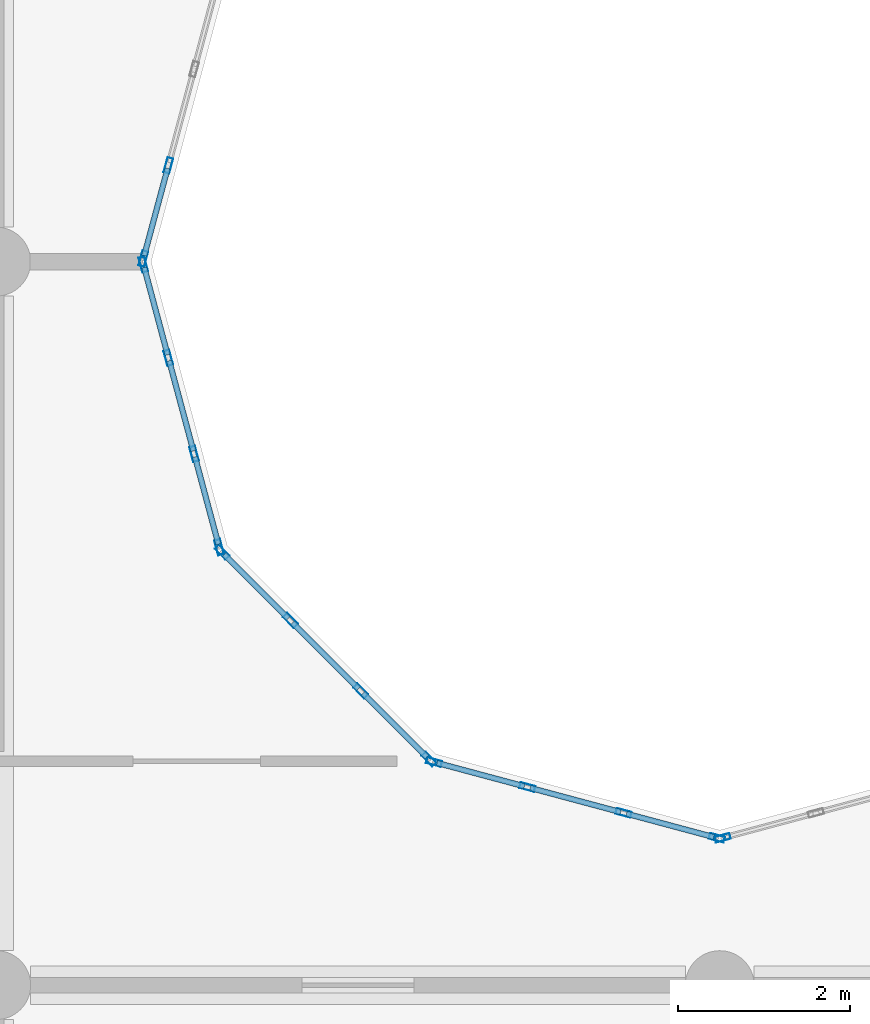
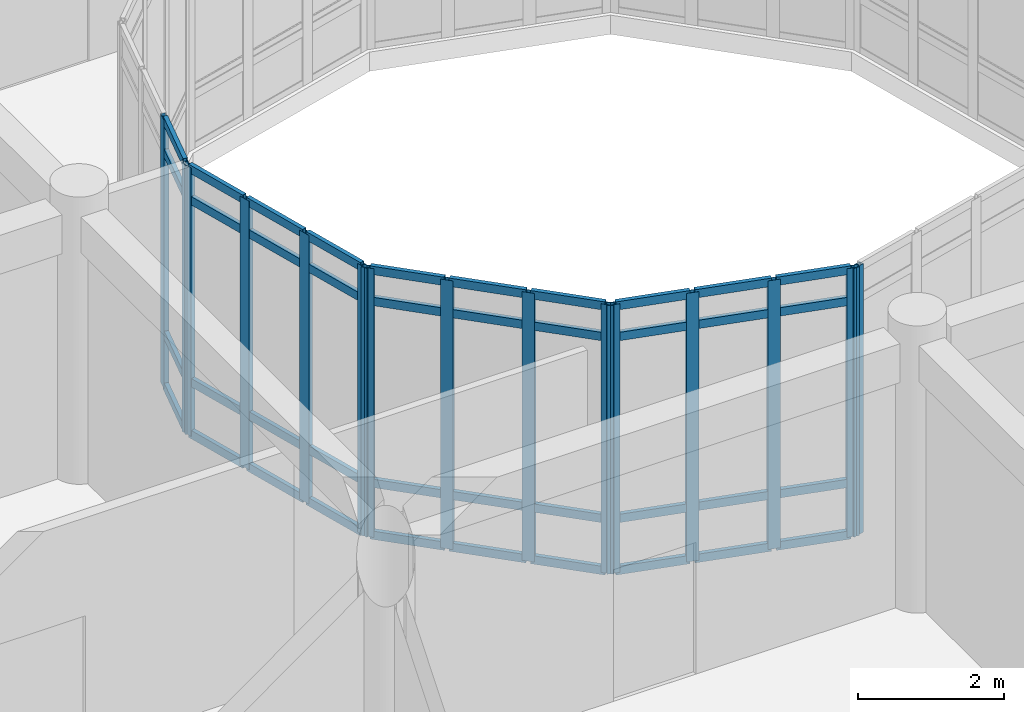
# One storey, part 22 of 138: 55 members, 5 elements without a shape of their own.
"""IFC4 building model written with IfcOpenShell, lengths in metres."""

from ifc_helpers import new_model, si_unit, direction, frame, origin, origin_2d, place, context, subcontext, project, spatial, hollow_rectangle, extrude, material, layer, layer_set, material_profile, profile_set, type_object, element, aggregate, save


model = new_model("IFC4")

# Units and contexts
model_context = context("Model", 3, precision=1e-05, world=origin(), true_north=direction((0.0, 1.0)))
body_context = subcontext(model_context, "Body", "Model", "MODEL_VIEW")
ifc_project = project(units=[si_unit("LENGTHUNIT", "METRE"), si_unit("AREAUNIT", "SQUARE_METRE"), si_unit("VOLUMEUNIT", "CUBIC_METRE"), si_unit("PLANEANGLEUNIT", "RADIAN"), si_unit("MASSUNIT", "GRAM", prefix="KILO")], contexts=[model_context])

# Site, building, storey
site_placement = place(None, origin())
site = spatial("IfcSite", under=ifc_project, at=site_placement, CompositionType="ELEMENT")
building_placement = place(site_placement, origin())
building = spatial("IfcBuilding", under=site, at=building_placement, Name="Bramfleet General Hospital", CompositionType="ELEMENT")
storey_placement = place(building_placement, origin())
storey = spatial("IfcBuildingStorey", under=building, at=storey_placement, Name="L00", CompositionType="ELEMENT", Elevation=0.0)

# Curtain wall, members
ifc_material_1 = material(Name="Anodised aluminium and low-E triple glazing", Category="aluminium")
ifc_layer_1 = layer(ifc_material_1, 0.179931640625, Name="CWT-CW-13")
ifc_layer_set_1 = layer_set([ifc_layer_1], Name="Anodised aluminium and low-E triple glazing")
curtain_wall_type_1 = type_object("IfcCurtainWallType", Name="CWT-CW-13", PredefinedType="USERDEFINED", material=ifc_layer_set_1)
curtain_wall_1_placement = place(storey_placement, origin())
curtain_wall_1 = element("IfcCurtainWall", 1, at=curtain_wall_1_placement, inside=storey, type_object=curtain_wall_type_1, Name="L00 West Clinical Light Court Curtain Wall 1.1", ObjectType="Stick curtain wall", PredefinedType="USERDEFINED")
ifc_material_2 = material(Name="Anodised aluminium EN AW-6060", Category="aluminium")
ifc_material_profile_1 = material_profile(ifc_material_2, hollow_rectangle(XDim=0.070068359375, YDim=0.179931640625, WallThickness=0.00390625, at=origin_2d()), Name="ALU 180x70x4.0")
ifc_profile_set_1 = profile_set([ifc_material_profile_1], Name="Anodised aluminium EN AW-6060")
member_type_1 = type_object("IfcMemberType", Name="CWM-ALU180", PredefinedType="MULLION", material=ifc_profile_set_1)
member_1_placement = place(storey_placement, frame((18.509033203125, 83.96630859375, 0.0), z_axis=(0.0, 0.0, 1.0), x_axis=(0.965899136003, 0.25891863407, 0.0)))
member_1 = element("IfcMember", 2, at=member_1_placement, type_object=member_type_1, Name="CW-13 mullion 1", PredefinedType="MULLION", context=body_context, shape_type="SweptSolid", body=[
    extrude(hollow_rectangle(XDim=0.070068359375, YDim=0.179931640625, WallThickness=0.00390625, at=origin_2d()), origin(), (0.0, 0.0, 1.0), 4.489990234375),
])
member_2_placement = place(storey_placement, frame((18.79931640625, 82.88330078125, 0.0), z_axis=(0.0, 0.0, 1.0), x_axis=(0.965899136003, 0.25891863407, 0.0)))
member_2 = element("IfcMember", 3, at=member_2_placement, type_object=member_type_1, Name="CW-13 mullion 2", PredefinedType="MULLION", context=body_context, shape_type="SweptSolid", body=[
    extrude(hollow_rectangle(XDim=0.070068359375, YDim=0.179931640625, WallThickness=0.00390625, at=origin_2d()), origin(), (0.0, 0.0, 1.0), 4.489990234375),
])
member_3_placement = place(storey_placement, frame((19.0986328125, 81.7666015625, 0.0), z_axis=(0.0, 0.0, 1.0), x_axis=(0.965899136003, 0.25891863407, 0.0)))
member_3 = element("IfcMember", 4, at=member_3_placement, type_object=member_type_1, Name="CW-13 mullion 3", PredefinedType="MULLION", context=body_context, shape_type="SweptSolid", body=[
    extrude(hollow_rectangle(XDim=0.070068359375, YDim=0.179931640625, WallThickness=0.00390625, at=origin_2d()), origin(), (0.0, 0.0, 1.0), 4.489990234375),
])
member_4_placement = place(storey_placement, frame((19.388916015625, 80.683837890625, 0.0), z_axis=(0.0, 0.0, 1.0), x_axis=(0.965899136003, 0.25891863407, 0.0)))
member_4 = element("IfcMember", 5, at=member_4_placement, type_object=member_type_1, Name="CW-13 mullion 4", PredefinedType="MULLION", context=body_context, shape_type="SweptSolid", body=[
    extrude(hollow_rectangle(XDim=0.070068359375, YDim=0.179931640625, WallThickness=0.00390625, at=origin_2d()), origin(), (0.0, 0.0, 1.0), 4.489990234375),
])

ifc_layer_2 = layer(ifc_material_1, 0.179931640625, Name="CWT-CW-14")
ifc_layer_set_2 = layer_set([ifc_layer_2], Name="Anodised aluminium and low-E triple glazing")
curtain_wall_type_2 = type_object("IfcCurtainWallType", Name="CWT-CW-14", PredefinedType="USERDEFINED", material=ifc_layer_set_2)
curtain_wall_2_placement = place(storey_placement, origin())
curtain_wall_2 = element("IfcCurtainWall", 6, at=curtain_wall_2_placement, inside=storey, type_object=curtain_wall_type_2, Name="L00 West Clinical Light Court Curtain Wall 2.1", ObjectType="Stick curtain wall", PredefinedType="USERDEFINED")
member_5_placement = place(storey_placement, frame((19.4228515625, 80.625244140625, 0.0), z_axis=(0.0, 0.0, 1.0), x_axis=(0.707106781187, 0.707106781187, 0.0)))
member_5 = element("IfcMember", 7, at=member_5_placement, type_object=member_type_1, Name="CW-14 mullion 1", PredefinedType="MULLION", context=body_context, shape_type="SweptSolid", body=[
    extrude(hollow_rectangle(XDim=0.070068359375, YDim=0.179931640625, WallThickness=0.00390625, at=origin_2d()), origin(), (0.0, 0.0, 1.0), 4.489990234375),
])
member_6_placement = place(storey_placement, frame((20.21533203125, 79.832763671875, 0.0), z_axis=(0.0, 0.0, 1.0), x_axis=(0.707106781187, 0.707106781187, 0.0)))
member_6 = element("IfcMember", 8, at=member_6_placement, type_object=member_type_1, Name="CW-14 mullion 2", PredefinedType="MULLION", context=body_context, shape_type="SweptSolid", body=[
    extrude(hollow_rectangle(XDim=0.070068359375, YDim=0.179931640625, WallThickness=0.00390625, at=origin_2d()), origin(), (0.0, 0.0, 1.0), 4.489990234375),
])
member_7_placement = place(storey_placement, frame((21.03271484375, 79.015380859375, 0.0), z_axis=(0.0, 0.0, 1.0), x_axis=(0.707106781187, 0.707106781187, 0.0)))
member_7 = element("IfcMember", 9, at=member_7_placement, type_object=member_type_1, Name="CW-14 mullion 3", PredefinedType="MULLION", context=body_context, shape_type="SweptSolid", body=[
    extrude(hollow_rectangle(XDim=0.070068359375, YDim=0.179931640625, WallThickness=0.00390625, at=origin_2d()), origin(), (0.0, 0.0, 1.0), 4.489990234375),
])
member_8_placement = place(storey_placement, frame((21.8251953125, 78.22265625, 0.0), z_axis=(0.0, 0.0, 1.0), x_axis=(0.707106781187, 0.707106781187, 0.0)))
member_8 = element("IfcMember", 10, at=member_8_placement, type_object=member_type_1, Name="CW-14 mullion 4", PredefinedType="MULLION", context=body_context, shape_type="SweptSolid", body=[
    extrude(hollow_rectangle(XDim=0.070068359375, YDim=0.179931640625, WallThickness=0.00390625, at=origin_2d()), origin(), (0.0, 0.0, 1.0), 4.489990234375),
])

ifc_layer_3 = layer(ifc_material_1, 0.179931640625, Name="CWT-CW-15")
ifc_layer_set_3 = layer_set([ifc_layer_3], Name="Anodised aluminium and low-E triple glazing")
curtain_wall_type_3 = type_object("IfcCurtainWallType", Name="CWT-CW-15", PredefinedType="USERDEFINED", material=ifc_layer_set_3)
curtain_wall_3_placement = place(storey_placement, origin())
curtain_wall_3 = element("IfcCurtainWall", 11, at=curtain_wall_3_placement, inside=storey, type_object=curtain_wall_type_3, Name="L00 West Clinical Light Court Curtain Wall 3.1", ObjectType="Stick curtain wall", PredefinedType="USERDEFINED")
member_9_placement = place(storey_placement, frame((21.8837890625, 78.18896484375, 0.0), z_axis=(0.0, 0.0, 1.0), x_axis=(0.25891863407, 0.965899136003, 0.0)))
member_9 = element("IfcMember", 12, at=member_9_placement, type_object=member_type_1, Name="CW-15 mullion 1", PredefinedType="MULLION", context=body_context, shape_type="SweptSolid", body=[
    extrude(hollow_rectangle(XDim=0.070068359375, YDim=0.179931640625, WallThickness=0.00390625, at=origin_2d()), origin(), (0.0, 0.0, 1.0), 4.489990234375),
])
member_10_placement = place(storey_placement, frame((22.966552734375, 77.898681640625, 0.0), z_axis=(0.0, 0.0, 1.0), x_axis=(0.25891863407, 0.965899136003, 0.0)))
member_10 = element("IfcMember", 13, at=member_10_placement, type_object=member_type_1, Name="CW-15 mullion 2", PredefinedType="MULLION", context=body_context, shape_type="SweptSolid", body=[
    extrude(hollow_rectangle(XDim=0.070068359375, YDim=0.179931640625, WallThickness=0.00390625, at=origin_2d()), origin(), (0.0, 0.0, 1.0), 4.489990234375),
])
member_11_placement = place(storey_placement, frame((24.083251953125, 77.599365234375, 0.0), z_axis=(0.0, 0.0, 1.0), x_axis=(0.25891863407, 0.965899136003, 0.0)))
member_11 = element("IfcMember", 14, at=member_11_placement, type_object=member_type_1, Name="CW-15 mullion 3", PredefinedType="MULLION", context=body_context, shape_type="SweptSolid", body=[
    extrude(hollow_rectangle(XDim=0.070068359375, YDim=0.179931640625, WallThickness=0.00390625, at=origin_2d()), origin(), (0.0, 0.0, 1.0), 4.489990234375),
])
member_12_placement = place(storey_placement, frame((25.166259765625, 77.30908203125, 0.0), z_axis=(0.0, 0.0, 1.0), x_axis=(0.25891863407, 0.965899136003, 0.0)))
member_12 = element("IfcMember", 15, at=member_12_placement, type_object=member_type_1, Name="CW-15 mullion 4", PredefinedType="MULLION", context=body_context, shape_type="SweptSolid", body=[
    extrude(hollow_rectangle(XDim=0.070068359375, YDim=0.179931640625, WallThickness=0.00390625, at=origin_2d()), origin(), (0.0, 0.0, 1.0), 4.489990234375),
])

# Curtain wall, member
ifc_layer_4 = layer(ifc_material_1, 0.179931640625, Name="CWT-CW-16")
ifc_layer_set_4 = layer_set([ifc_layer_4], Name="Anodised aluminium and low-E triple glazing")
curtain_wall_type_4 = type_object("IfcCurtainWallType", Name="CWT-CW-16", PredefinedType="USERDEFINED", material=ifc_layer_set_4)
curtain_wall_4_placement = place(storey_placement, origin())
curtain_wall_4 = element("IfcCurtainWall", 16, at=curtain_wall_4_placement, inside=storey, type_object=curtain_wall_type_4, Name="L00 West Clinical Light Court Curtain Wall 4.1", ObjectType="Stick curtain wall", PredefinedType="USERDEFINED")
member_13_placement = place(storey_placement, frame((25.23388671875, 77.30908203125, 0.0), z_axis=(0.0, 0.0, 1.0), x_axis=(-0.25891863407, 0.965899136003, 0.0)))
member_13 = element("IfcMember", 17, at=member_13_placement, type_object=member_type_1, Name="CW-16 mullion 1", PredefinedType="MULLION", context=body_context, shape_type="SweptSolid", body=[
    extrude(hollow_rectangle(XDim=0.070068359375, YDim=0.179931640625, WallThickness=0.00390625, at=origin_2d()), origin(), (0.0, 0.0, 1.0), 4.489990234375),
])
aggregate(curtain_wall_4, [member_13])

# Curtain wall, members
curtain_wall_5_placement = place(storey_placement, origin())
curtain_wall_5 = element("IfcCurtainWall", 18, at=curtain_wall_5_placement, inside=storey, type_object=curtain_wall_type_4, Name="L00 West Clinical Light Court Curtain Wall 12.1", ObjectType="Stick curtain wall", PredefinedType="USERDEFINED")
member_14_placement = place(storey_placement, frame((18.79931640625, 85.11669921875, 0.0), z_axis=(0.0, 0.0, 1.0), x_axis=(0.965899136003, -0.25891863407, 0.0)))
member_14 = element("IfcMember", 19, at=member_14_placement, type_object=member_type_1, Name="CW-16 mullion 3", PredefinedType="MULLION", context=body_context, shape_type="SweptSolid", body=[
    extrude(hollow_rectangle(XDim=0.070068359375, YDim=0.179931640625, WallThickness=0.00390625, at=origin_2d()), origin(), (0.0, 0.0, 1.0), 4.489990234375),
])
member_15_placement = place(storey_placement, frame((18.509033203125, 84.03369140625, 0.0), z_axis=(0.0, 0.0, 1.0), x_axis=(0.965899136003, -0.25891863407, 0.0)))
member_15 = element("IfcMember", 20, at=member_15_placement, type_object=member_type_1, Name="CW-16 mullion 4", PredefinedType="MULLION", context=body_context, shape_type="SweptSolid", body=[
    extrude(hollow_rectangle(XDim=0.070068359375, YDim=0.179931640625, WallThickness=0.00390625, at=origin_2d()), origin(), (0.0, 0.0, 1.0), 4.489990234375),
])

# Member
ifc_material_profile_2 = material_profile(ifc_material_2, hollow_rectangle(XDim=0.06494140625, YDim=0.139892578125, WallThickness=0.00390625, at=origin_2d()), Name="ALU 140x65x4.0")
ifc_profile_set_2 = profile_set([ifc_material_profile_2], Name="Anodised aluminium EN AW-6060")
member_type_2 = type_object("IfcMemberType", Name="CWT-ALU140", PredefinedType="USERDEFINED", material=ifc_profile_set_2)
member_16_placement = place(storey_placement, frame((18.51806640625, 83.932373046875, 0.032470703125), z_axis=(0.259007003236, -0.965875443458, 0.0), x_axis=(0.965875443458, 0.259007003236, 0.0)))
member_16 = element("IfcMember", 21, at=member_16_placement, type_object=member_type_2, Name="CW-13 transom 1.1", ObjectType="TRANSOM", PredefinedType="USERDEFINED", context=body_context, shape_type="SweptSolid", body=[
    extrude(hollow_rectangle(XDim=0.06494140625, YDim=0.139892578125, WallThickness=0.00390625, at=origin_2d()), origin(), (0.0, 0.0, 1.0), 1.051025390625),
])

member_17_placement = place(storey_placement, frame((18.51806640625, 83.932373046875, 0.89990234375), z_axis=(0.259007003236, -0.965875443458, 0.0), x_axis=(0.965875443458, 0.259007003236, 0.0)))
member_17 = element("IfcMember", 22, at=member_17_placement, type_object=member_type_2, Name="CW-13 transom 1.2", ObjectType="TRANSOM", PredefinedType="USERDEFINED", context=body_context, shape_type="SweptSolid", body=[
    extrude(hollow_rectangle(XDim=0.06494140625, YDim=0.139892578125, WallThickness=0.00390625, at=origin_2d()), origin(), (0.0, 0.0, 1.0), 1.051025390625),
])

member_18_placement = place(storey_placement, frame((18.51806640625, 83.932373046875, 3.93994140625), z_axis=(0.259007003236, -0.965875443458, 0.0), x_axis=(0.965875443458, 0.259007003236, 0.0)))
member_18 = element("IfcMember", 23, at=member_18_placement, type_object=member_type_2, Name="CW-13 transom 1.3", ObjectType="TRANSOM", PredefinedType="USERDEFINED", context=body_context, shape_type="SweptSolid", body=[
    extrude(hollow_rectangle(XDim=0.06494140625, YDim=0.139892578125, WallThickness=0.00390625, at=origin_2d()), origin(), (0.0, 0.0, 1.0), 1.051025390625),
])

member_19_placement = place(storey_placement, frame((18.51806640625, 83.932373046875, 4.45751953125), z_axis=(0.259007003236, -0.965875443458, 0.0), x_axis=(0.965875443458, 0.259007003236, 0.0)))
member_19 = element("IfcMember", 24, at=member_19_placement, type_object=member_type_2, Name="CW-13 transom 1.4", ObjectType="TRANSOM", PredefinedType="USERDEFINED", context=body_context, shape_type="SweptSolid", body=[
    extrude(hollow_rectangle(XDim=0.06494140625, YDim=0.139892578125, WallThickness=0.00390625, at=origin_2d()), origin(), (0.0, 0.0, 1.0), 1.051025390625),
])

member_20_placement = place(storey_placement, frame((18.808349609375, 82.849609375, 0.032470703125), z_axis=(0.258949558843, -0.965890845787, 0.0), x_axis=(0.965890845787, 0.258949558843, 0.0)))
member_20 = element("IfcMember", 25, at=member_20_placement, type_object=member_type_2, Name="CW-13 transom 2.1", ObjectType="TRANSOM", PredefinedType="USERDEFINED", context=body_context, shape_type="SweptSolid", body=[
    extrude(hollow_rectangle(XDim=0.06494140625, YDim=0.139892578125, WallThickness=0.00390625, at=origin_2d()), origin(), (0.0, 0.0, 1.0), 1.086181640625),
])

member_21_placement = place(storey_placement, frame((18.808349609375, 82.849609375, 0.89990234375), z_axis=(0.258949558843, -0.965890845787, 0.0), x_axis=(0.965890845787, 0.258949558843, 0.0)))
member_21 = element("IfcMember", 26, at=member_21_placement, type_object=member_type_2, Name="CW-13 transom 2.2", ObjectType="TRANSOM", PredefinedType="USERDEFINED", context=body_context, shape_type="SweptSolid", body=[
    extrude(hollow_rectangle(XDim=0.06494140625, YDim=0.139892578125, WallThickness=0.00390625, at=origin_2d()), origin(), (0.0, 0.0, 1.0), 1.086181640625),
])

member_22_placement = place(storey_placement, frame((18.808349609375, 82.849609375, 3.93994140625), z_axis=(0.258949558843, -0.965890845787, 0.0), x_axis=(0.965890845787, 0.258949558843, 0.0)))
member_22 = element("IfcMember", 27, at=member_22_placement, type_object=member_type_2, Name="CW-13 transom 2.3", ObjectType="TRANSOM", PredefinedType="USERDEFINED", context=body_context, shape_type="SweptSolid", body=[
    extrude(hollow_rectangle(XDim=0.06494140625, YDim=0.139892578125, WallThickness=0.00390625, at=origin_2d()), origin(), (0.0, 0.0, 1.0), 1.086181640625),
])

member_23_placement = place(storey_placement, frame((18.808349609375, 82.849609375, 4.45751953125), z_axis=(0.258949558843, -0.965890845787, 0.0), x_axis=(0.965890845787, 0.258949558843, 0.0)))
member_23 = element("IfcMember", 28, at=member_23_placement, type_object=member_type_2, Name="CW-13 transom 2.4", ObjectType="TRANSOM", PredefinedType="USERDEFINED", context=body_context, shape_type="SweptSolid", body=[
    extrude(hollow_rectangle(XDim=0.06494140625, YDim=0.139892578125, WallThickness=0.00390625, at=origin_2d()), origin(), (0.0, 0.0, 1.0), 1.086181640625),
])

member_24_placement = place(storey_placement, frame((19.107666015625, 81.73291015625, 0.032470703125), z_axis=(0.258948903342, -0.965891021523, 0.0), x_axis=(0.965891021523, 0.258948903342, 0.0)))
member_24 = element("IfcMember", 29, at=member_24_placement, type_object=member_type_2, Name="CW-13 transom 3.1", ObjectType="TRANSOM", PredefinedType="USERDEFINED", context=body_context, shape_type="SweptSolid", body=[
    extrude(hollow_rectangle(XDim=0.06494140625, YDim=0.139892578125, WallThickness=0.00390625, at=origin_2d()), origin(), (0.0, 0.0, 1.0), 1.05126953125),
])

member_25_placement = place(storey_placement, frame((19.107666015625, 81.73291015625, 0.89990234375), z_axis=(0.258948903342, -0.965891021523, 0.0), x_axis=(0.965891021523, 0.258948903342, 0.0)))
member_25 = element("IfcMember", 30, at=member_25_placement, type_object=member_type_2, Name="CW-13 transom 3.2", ObjectType="TRANSOM", PredefinedType="USERDEFINED", context=body_context, shape_type="SweptSolid", body=[
    extrude(hollow_rectangle(XDim=0.06494140625, YDim=0.139892578125, WallThickness=0.00390625, at=origin_2d()), origin(), (0.0, 0.0, 1.0), 1.05126953125),
])

member_26_placement = place(storey_placement, frame((19.107666015625, 81.73291015625, 3.93994140625), z_axis=(0.258948903342, -0.965891021523, 0.0), x_axis=(0.965891021523, 0.258948903342, 0.0)))
member_26 = element("IfcMember", 31, at=member_26_placement, type_object=member_type_2, Name="CW-13 transom 3.3", ObjectType="TRANSOM", PredefinedType="USERDEFINED", context=body_context, shape_type="SweptSolid", body=[
    extrude(hollow_rectangle(XDim=0.06494140625, YDim=0.139892578125, WallThickness=0.00390625, at=origin_2d()), origin(), (0.0, 0.0, 1.0), 1.05126953125),
])

member_27_placement = place(storey_placement, frame((19.107666015625, 81.73291015625, 4.45751953125), z_axis=(0.258948903342, -0.965891021523, 0.0), x_axis=(0.965891021523, 0.258948903342, 0.0)))
member_27 = element("IfcMember", 32, at=member_27_placement, type_object=member_type_2, Name="CW-13 transom 3.4", ObjectType="TRANSOM", PredefinedType="USERDEFINED", context=body_context, shape_type="SweptSolid", body=[
    extrude(hollow_rectangle(XDim=0.06494140625, YDim=0.139892578125, WallThickness=0.00390625, at=origin_2d()), origin(), (0.0, 0.0, 1.0), 1.05126953125),
])

aggregate(curtain_wall_1, [member_1, member_2, member_3, member_4, member_16, member_17, member_18, member_19, member_20, member_21, member_22, member_23, member_24, member_25, member_26, member_27])

member_28_placement = place(storey_placement, frame((19.447509765625, 80.6005859375, 0.032470703125), z_axis=(0.707106781187, -0.707106781187, 0.0), x_axis=(0.707106781187, 0.707106781187, 0.0)))
member_28 = element("IfcMember", 33, at=member_28_placement, type_object=member_type_2, Name="CW-14 transom 1.1", ObjectType="TRANSOM", PredefinedType="USERDEFINED", context=body_context, shape_type="SweptSolid", body=[
    extrude(hollow_rectangle(XDim=0.06494140625, YDim=0.139892578125, WallThickness=0.00390625, at=origin_2d()), origin(), (0.0, 0.0, 1.0), 1.051025390625),
])

member_29_placement = place(storey_placement, frame((19.447509765625, 80.6005859375, 0.89990234375), z_axis=(0.707106781187, -0.707106781187, 0.0), x_axis=(0.707106781187, 0.707106781187, 0.0)))
member_29 = element("IfcMember", 34, at=member_29_placement, type_object=member_type_2, Name="CW-14 transom 1.2", ObjectType="TRANSOM", PredefinedType="USERDEFINED", context=body_context, shape_type="SweptSolid", body=[
    extrude(hollow_rectangle(XDim=0.06494140625, YDim=0.139892578125, WallThickness=0.00390625, at=origin_2d()), origin(), (0.0, 0.0, 1.0), 1.051025390625),
])

member_30_placement = place(storey_placement, frame((19.447509765625, 80.6005859375, 3.93994140625), z_axis=(0.707106781187, -0.707106781187, 0.0), x_axis=(0.707106781187, 0.707106781187, 0.0)))
member_30 = element("IfcMember", 35, at=member_30_placement, type_object=member_type_2, Name="CW-14 transom 1.3", ObjectType="TRANSOM", PredefinedType="USERDEFINED", context=body_context, shape_type="SweptSolid", body=[
    extrude(hollow_rectangle(XDim=0.06494140625, YDim=0.139892578125, WallThickness=0.00390625, at=origin_2d()), origin(), (0.0, 0.0, 1.0), 1.051025390625),
])

member_31_placement = place(storey_placement, frame((19.447509765625, 80.6005859375, 4.45751953125), z_axis=(0.707106781187, -0.707106781187, 0.0), x_axis=(0.707106781187, 0.707106781187, 0.0)))
member_31 = element("IfcMember", 36, at=member_31_placement, type_object=member_type_2, Name="CW-14 transom 1.4", ObjectType="TRANSOM", PredefinedType="USERDEFINED", context=body_context, shape_type="SweptSolid", body=[
    extrude(hollow_rectangle(XDim=0.06494140625, YDim=0.139892578125, WallThickness=0.00390625, at=origin_2d()), origin(), (0.0, 0.0, 1.0), 1.051025390625),
])

member_32_placement = place(storey_placement, frame((20.239990234375, 79.807861328125, 0.032470703125), z_axis=(0.707106781187, -0.707106781187, 0.0), x_axis=(0.707106781187, 0.707106781187, 0.0)))
member_32 = element("IfcMember", 37, at=member_32_placement, type_object=member_type_2, Name="CW-14 transom 2.1", ObjectType="TRANSOM", PredefinedType="USERDEFINED", context=body_context, shape_type="SweptSolid", body=[
    extrude(hollow_rectangle(XDim=0.06494140625, YDim=0.139892578125, WallThickness=0.00390625, at=origin_2d()), origin(), (0.0, 0.0, 1.0), 1.0859375),
])

member_33_placement = place(storey_placement, frame((20.239990234375, 79.807861328125, 0.89990234375), z_axis=(0.707106781187, -0.707106781187, 0.0), x_axis=(0.707106781187, 0.707106781187, 0.0)))
member_33 = element("IfcMember", 38, at=member_33_placement, type_object=member_type_2, Name="CW-14 transom 2.2", ObjectType="TRANSOM", PredefinedType="USERDEFINED", context=body_context, shape_type="SweptSolid", body=[
    extrude(hollow_rectangle(XDim=0.06494140625, YDim=0.139892578125, WallThickness=0.00390625, at=origin_2d()), origin(), (0.0, 0.0, 1.0), 1.0859375),
])

member_34_placement = place(storey_placement, frame((20.239990234375, 79.807861328125, 3.93994140625), z_axis=(0.707106781187, -0.707106781187, 0.0), x_axis=(0.707106781187, 0.707106781187, 0.0)))
member_34 = element("IfcMember", 39, at=member_34_placement, type_object=member_type_2, Name="CW-14 transom 2.3", ObjectType="TRANSOM", PredefinedType="USERDEFINED", context=body_context, shape_type="SweptSolid", body=[
    extrude(hollow_rectangle(XDim=0.06494140625, YDim=0.139892578125, WallThickness=0.00390625, at=origin_2d()), origin(), (0.0, 0.0, 1.0), 1.0859375),
])

member_35_placement = place(storey_placement, frame((20.239990234375, 79.807861328125, 4.45751953125), z_axis=(0.707106781187, -0.707106781187, 0.0), x_axis=(0.707106781187, 0.707106781187, 0.0)))
member_35 = element("IfcMember", 40, at=member_35_placement, type_object=member_type_2, Name="CW-14 transom 2.4", ObjectType="TRANSOM", PredefinedType="USERDEFINED", context=body_context, shape_type="SweptSolid", body=[
    extrude(hollow_rectangle(XDim=0.06494140625, YDim=0.139892578125, WallThickness=0.00390625, at=origin_2d()), origin(), (0.0, 0.0, 1.0), 1.0859375),
])

member_36_placement = place(storey_placement, frame((21.057373046875, 78.990478515625, 0.032470703125), z_axis=(0.707222938356, -0.706990604933, 0.0), x_axis=(0.706990604933, 0.707222938356, 0.0)))
member_36 = element("IfcMember", 41, at=member_36_placement, type_object=member_type_2, Name="CW-14 transom 3.1", ObjectType="TRANSOM", PredefinedType="USERDEFINED", context=body_context, shape_type="SweptSolid", body=[
    extrude(hollow_rectangle(XDim=0.06494140625, YDim=0.139892578125, WallThickness=0.00390625, at=origin_2d()), origin(), (0.0, 0.0, 1.0), 1.05078125),
])

member_37_placement = place(storey_placement, frame((21.057373046875, 78.990478515625, 0.89990234375), z_axis=(0.707222938356, -0.706990604933, 0.0), x_axis=(0.706990604933, 0.707222938356, 0.0)))
member_37 = element("IfcMember", 42, at=member_37_placement, type_object=member_type_2, Name="CW-14 transom 3.2", ObjectType="TRANSOM", PredefinedType="USERDEFINED", context=body_context, shape_type="SweptSolid", body=[
    extrude(hollow_rectangle(XDim=0.06494140625, YDim=0.139892578125, WallThickness=0.00390625, at=origin_2d()), origin(), (0.0, 0.0, 1.0), 1.05078125),
])

member_38_placement = place(storey_placement, frame((21.057373046875, 78.990478515625, 3.93994140625), z_axis=(0.707222938356, -0.706990604933, 0.0), x_axis=(0.706990604933, 0.707222938356, 0.0)))
member_38 = element("IfcMember", 43, at=member_38_placement, type_object=member_type_2, Name="CW-14 transom 3.3", ObjectType="TRANSOM", PredefinedType="USERDEFINED", context=body_context, shape_type="SweptSolid", body=[
    extrude(hollow_rectangle(XDim=0.06494140625, YDim=0.139892578125, WallThickness=0.00390625, at=origin_2d()), origin(), (0.0, 0.0, 1.0), 1.05078125),
])

member_39_placement = place(storey_placement, frame((21.057373046875, 78.990478515625, 4.45751953125), z_axis=(0.707222938356, -0.706990604933, 0.0), x_axis=(0.706990604933, 0.707222938356, 0.0)))
member_39 = element("IfcMember", 44, at=member_39_placement, type_object=member_type_2, Name="CW-14 transom 3.4", ObjectType="TRANSOM", PredefinedType="USERDEFINED", context=body_context, shape_type="SweptSolid", body=[
    extrude(hollow_rectangle(XDim=0.06494140625, YDim=0.139892578125, WallThickness=0.00390625, at=origin_2d()), origin(), (0.0, 0.0, 1.0), 1.05078125),
])

aggregate(curtain_wall_2, [member_5, member_6, member_7, member_8, member_28, member_29, member_30, member_31, member_32, member_33, member_34, member_35, member_36, member_37, member_38, member_39])

member_40_placement = place(storey_placement, frame((21.917724609375, 78.179931640625, 0.032470703125), z_axis=(0.965875443458, -0.259007003236, 0.0), x_axis=(0.259007003236, 0.965875443458, 0.0)))
member_40 = element("IfcMember", 45, at=member_40_placement, type_object=member_type_2, Name="CW-15 transom 1.1", ObjectType="TRANSOM", PredefinedType="USERDEFINED", context=body_context, shape_type="SweptSolid", body=[
    extrude(hollow_rectangle(XDim=0.06494140625, YDim=0.139892578125, WallThickness=0.00390625, at=origin_2d()), origin(), (0.0, 0.0, 1.0), 1.051025390625),
])

member_41_placement = place(storey_placement, frame((21.917724609375, 78.179931640625, 0.89990234375), z_axis=(0.965875443458, -0.259007003236, 0.0), x_axis=(0.259007003236, 0.965875443458, 0.0)))
member_41 = element("IfcMember", 46, at=member_41_placement, type_object=member_type_2, Name="CW-15 transom 1.2", ObjectType="TRANSOM", PredefinedType="USERDEFINED", context=body_context, shape_type="SweptSolid", body=[
    extrude(hollow_rectangle(XDim=0.06494140625, YDim=0.139892578125, WallThickness=0.00390625, at=origin_2d()), origin(), (0.0, 0.0, 1.0), 1.051025390625),
])

member_42_placement = place(storey_placement, frame((21.917724609375, 78.179931640625, 3.93994140625), z_axis=(0.965875443458, -0.259007003236, 0.0), x_axis=(0.259007003236, 0.965875443458, 0.0)))
member_42 = element("IfcMember", 47, at=member_42_placement, type_object=member_type_2, Name="CW-15 transom 1.3", ObjectType="TRANSOM", PredefinedType="USERDEFINED", context=body_context, shape_type="SweptSolid", body=[
    extrude(hollow_rectangle(XDim=0.06494140625, YDim=0.139892578125, WallThickness=0.00390625, at=origin_2d()), origin(), (0.0, 0.0, 1.0), 1.051025390625),
])

member_43_placement = place(storey_placement, frame((21.917724609375, 78.179931640625, 4.45751953125), z_axis=(0.965875443458, -0.259007003236, 0.0), x_axis=(0.259007003236, 0.965875443458, 0.0)))
member_43 = element("IfcMember", 48, at=member_43_placement, type_object=member_type_2, Name="CW-15 transom 1.4", ObjectType="TRANSOM", PredefinedType="USERDEFINED", context=body_context, shape_type="SweptSolid", body=[
    extrude(hollow_rectangle(XDim=0.06494140625, YDim=0.139892578125, WallThickness=0.00390625, at=origin_2d()), origin(), (0.0, 0.0, 1.0), 1.051025390625),
])

member_44_placement = place(storey_placement, frame((23.00048828125, 77.8896484375, 0.032470703125), z_axis=(0.965890845787, -0.258949558843, 0.0), x_axis=(0.258949558843, 0.965890845787, 0.0)))
member_44 = element("IfcMember", 49, at=member_44_placement, type_object=member_type_2, Name="CW-15 transom 2.1", ObjectType="TRANSOM", PredefinedType="USERDEFINED", context=body_context, shape_type="SweptSolid", body=[
    extrude(hollow_rectangle(XDim=0.06494140625, YDim=0.139892578125, WallThickness=0.00390625, at=origin_2d()), origin(), (0.0, 0.0, 1.0), 1.086181640625),
])

member_45_placement = place(storey_placement, frame((23.00048828125, 77.8896484375, 0.89990234375), z_axis=(0.965890845787, -0.258949558843, 0.0), x_axis=(0.258949558843, 0.965890845787, 0.0)))
member_45 = element("IfcMember", 50, at=member_45_placement, type_object=member_type_2, Name="CW-15 transom 2.2", ObjectType="TRANSOM", PredefinedType="USERDEFINED", context=body_context, shape_type="SweptSolid", body=[
    extrude(hollow_rectangle(XDim=0.06494140625, YDim=0.139892578125, WallThickness=0.00390625, at=origin_2d()), origin(), (0.0, 0.0, 1.0), 1.086181640625),
])

member_46_placement = place(storey_placement, frame((23.00048828125, 77.8896484375, 3.93994140625), z_axis=(0.965890845787, -0.258949558843, 0.0), x_axis=(0.258949558843, 0.965890845787, 0.0)))
member_46 = element("IfcMember", 51, at=member_46_placement, type_object=member_type_2, Name="CW-15 transom 2.3", ObjectType="TRANSOM", PredefinedType="USERDEFINED", context=body_context, shape_type="SweptSolid", body=[
    extrude(hollow_rectangle(XDim=0.06494140625, YDim=0.139892578125, WallThickness=0.00390625, at=origin_2d()), origin(), (0.0, 0.0, 1.0), 1.086181640625),
])

member_47_placement = place(storey_placement, frame((23.00048828125, 77.8896484375, 4.45751953125), z_axis=(0.965890845787, -0.258949558843, 0.0), x_axis=(0.258949558843, 0.965890845787, 0.0)))
member_47 = element("IfcMember", 52, at=member_47_placement, type_object=member_type_2, Name="CW-15 transom 2.4", ObjectType="TRANSOM", PredefinedType="USERDEFINED", context=body_context, shape_type="SweptSolid", body=[
    extrude(hollow_rectangle(XDim=0.06494140625, YDim=0.139892578125, WallThickness=0.00390625, at=origin_2d()), origin(), (0.0, 0.0, 1.0), 1.086181640625),
])

member_48_placement = place(storey_placement, frame((24.1171875, 77.59033203125, 0.032470703125), z_axis=(0.965875443458, -0.259007003236, 0.0), x_axis=(0.259007003236, 0.965875443458, 0.0)))
member_48 = element("IfcMember", 53, at=member_48_placement, type_object=member_type_2, Name="CW-15 transom 3.1", ObjectType="TRANSOM", PredefinedType="USERDEFINED", context=body_context, shape_type="SweptSolid", body=[
    extrude(hollow_rectangle(XDim=0.06494140625, YDim=0.139892578125, WallThickness=0.00390625, at=origin_2d()), origin(), (0.0, 0.0, 1.0), 1.051025390625),
])

member_49_placement = place(storey_placement, frame((24.1171875, 77.59033203125, 0.89990234375), z_axis=(0.965875443458, -0.259007003236, 0.0), x_axis=(0.259007003236, 0.965875443458, 0.0)))
member_49 = element("IfcMember", 54, at=member_49_placement, type_object=member_type_2, Name="CW-15 transom 3.2", ObjectType="TRANSOM", PredefinedType="USERDEFINED", context=body_context, shape_type="SweptSolid", body=[
    extrude(hollow_rectangle(XDim=0.06494140625, YDim=0.139892578125, WallThickness=0.00390625, at=origin_2d()), origin(), (0.0, 0.0, 1.0), 1.051025390625),
])

member_50_placement = place(storey_placement, frame((24.1171875, 77.59033203125, 3.93994140625), z_axis=(0.965875443458, -0.259007003236, 0.0), x_axis=(0.259007003236, 0.965875443458, 0.0)))
member_50 = element("IfcMember", 55, at=member_50_placement, type_object=member_type_2, Name="CW-15 transom 3.3", ObjectType="TRANSOM", PredefinedType="USERDEFINED", context=body_context, shape_type="SweptSolid", body=[
    extrude(hollow_rectangle(XDim=0.06494140625, YDim=0.139892578125, WallThickness=0.00390625, at=origin_2d()), origin(), (0.0, 0.0, 1.0), 1.051025390625),
])

member_51_placement = place(storey_placement, frame((24.1171875, 77.59033203125, 4.45751953125), z_axis=(0.965875443458, -0.259007003236, 0.0), x_axis=(0.259007003236, 0.965875443458, 0.0)))
member_51 = element("IfcMember", 56, at=member_51_placement, type_object=member_type_2, Name="CW-15 transom 3.4", ObjectType="TRANSOM", PredefinedType="USERDEFINED", context=body_context, shape_type="SweptSolid", body=[
    extrude(hollow_rectangle(XDim=0.06494140625, YDim=0.139892578125, WallThickness=0.00390625, at=origin_2d()), origin(), (0.0, 0.0, 1.0), 1.051025390625),
])

aggregate(curtain_wall_3, [member_9, member_10, member_11, member_12, member_40, member_41, member_42, member_43, member_44, member_45, member_46, member_47, member_48, member_49, member_50, member_51])

member_52_placement = place(storey_placement, frame((18.790283203125, 85.082763671875, 0.032470703125), z_axis=(-0.259007003236, -0.965875443458, 0.0), x_axis=(0.965875443458, -0.259007003236, 0.0)))
member_52 = element("IfcMember", 57, at=member_52_placement, type_object=member_type_2, Name="CW-16 transom 3.1", ObjectType="TRANSOM", PredefinedType="USERDEFINED", context=body_context, shape_type="SweptSolid", body=[
    extrude(hollow_rectangle(XDim=0.06494140625, YDim=0.139892578125, WallThickness=0.00390625, at=origin_2d()), origin(), (0.0, 0.0, 1.0), 1.051025390625),
])

member_53_placement = place(storey_placement, frame((18.790283203125, 85.082763671875, 0.89990234375), z_axis=(-0.259007003236, -0.965875443458, 0.0), x_axis=(0.965875443458, -0.259007003236, 0.0)))
member_53 = element("IfcMember", 58, at=member_53_placement, type_object=member_type_2, Name="CW-16 transom 3.2", ObjectType="TRANSOM", PredefinedType="USERDEFINED", context=body_context, shape_type="SweptSolid", body=[
    extrude(hollow_rectangle(XDim=0.06494140625, YDim=0.139892578125, WallThickness=0.00390625, at=origin_2d()), origin(), (0.0, 0.0, 1.0), 1.051025390625),
])

member_54_placement = place(storey_placement, frame((18.790283203125, 85.082763671875, 3.93994140625), z_axis=(-0.259007003236, -0.965875443458, 0.0), x_axis=(0.965875443458, -0.259007003236, 0.0)))
member_54 = element("IfcMember", 59, at=member_54_placement, type_object=member_type_2, Name="CW-16 transom 3.3", ObjectType="TRANSOM", PredefinedType="USERDEFINED", context=body_context, shape_type="SweptSolid", body=[
    extrude(hollow_rectangle(XDim=0.06494140625, YDim=0.139892578125, WallThickness=0.00390625, at=origin_2d()), origin(), (0.0, 0.0, 1.0), 1.051025390625),
])

member_55_placement = place(storey_placement, frame((18.790283203125, 85.082763671875, 4.45751953125), z_axis=(-0.259007003236, -0.965875443458, 0.0), x_axis=(0.965875443458, -0.259007003236, 0.0)))
member_55 = element("IfcMember", 60, at=member_55_placement, type_object=member_type_2, Name="CW-16 transom 3.4", ObjectType="TRANSOM", PredefinedType="USERDEFINED", context=body_context, shape_type="SweptSolid", body=[
    extrude(hollow_rectangle(XDim=0.06494140625, YDim=0.139892578125, WallThickness=0.00390625, at=origin_2d()), origin(), (0.0, 0.0, 1.0), 1.051025390625),
])

aggregate(curtain_wall_5, [member_14, member_15, member_52, member_53, member_54, member_55])

save(model, "model.ifc")
